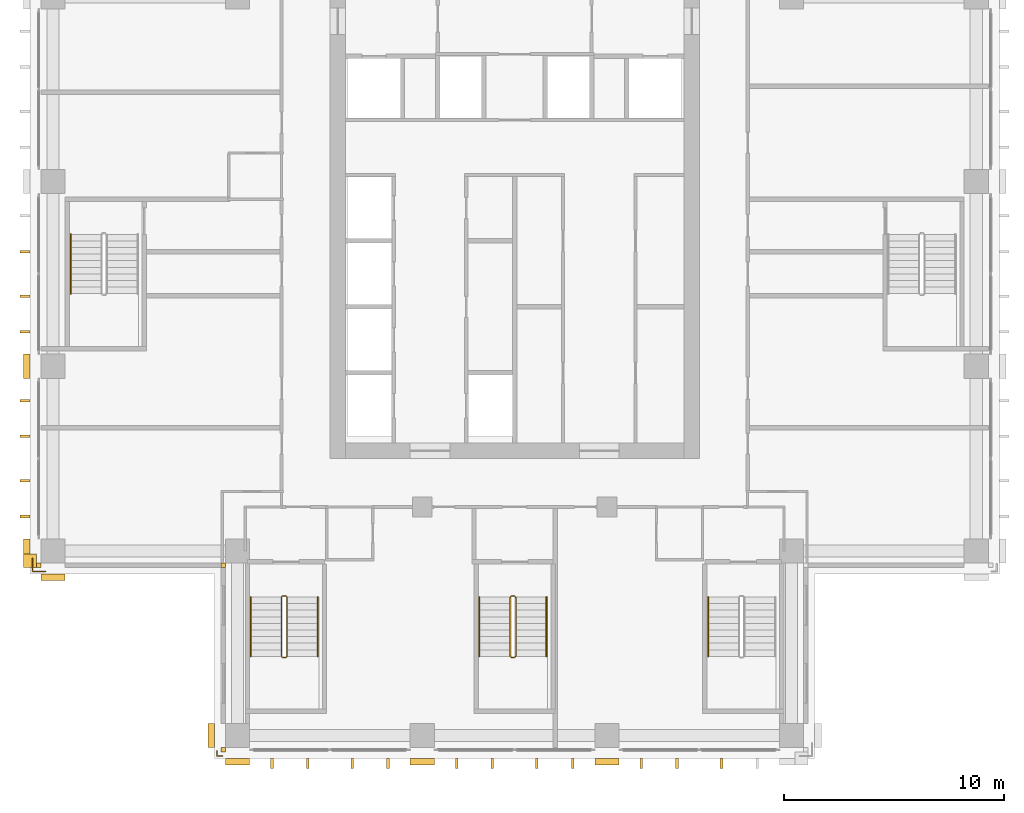
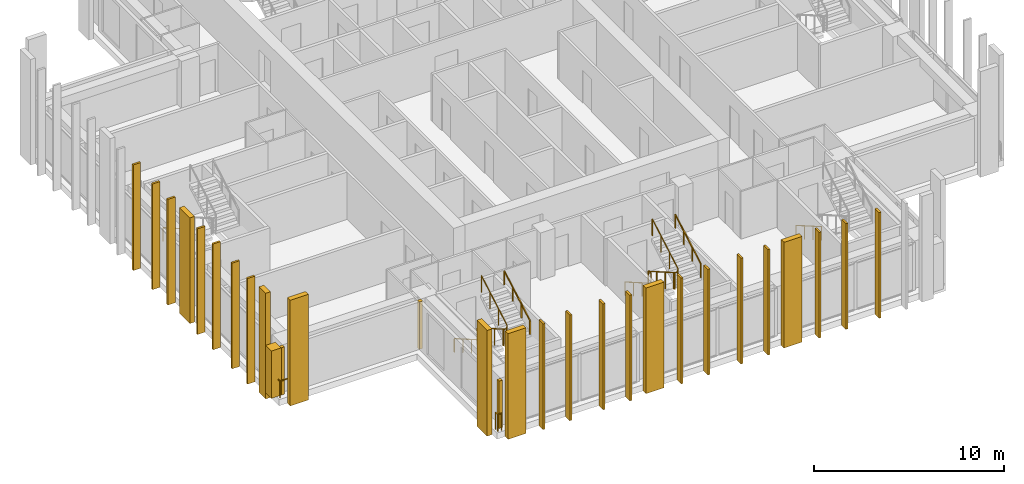
# One storey, part 14 of 16: 29 coverings, 10 railings.
"""IFC4 building model written with IfcOpenShell, lengths in metres."""

from ifc_helpers import new_model, si_unit, direction, frame, origin, origin_2d, place, context, subcontext, project, spatial, polyline, rectangle, outline, extrude, material, layer, layer_set, type_object, element, save


model = new_model("IFC4")

# Units and contexts
model_context = context("Model", 3, precision=1e-05, world=origin(), true_north=direction((0.0, 1.0)))
body_context = subcontext(model_context, "Body", "Model", "MODEL_VIEW")
ifc_project = project(units=[si_unit("LENGTHUNIT", "METRE"), si_unit("AREAUNIT", "SQUARE_METRE"), si_unit("VOLUMEUNIT", "CUBIC_METRE"), si_unit("PLANEANGLEUNIT", "RADIAN"), si_unit("MASSUNIT", "GRAM", prefix="KILO")], contexts=[model_context])

# Site, building, storey
site_placement = place(None, origin())
site = spatial("IfcSite", under=ifc_project, at=site_placement, CompositionType="ELEMENT")
building_placement = place(site_placement, origin())
building = spatial("IfcBuilding", under=site, at=building_placement, Name="Vermilion Ogive Tower", CompositionType="ELEMENT")
storey_placement = place(building_placement, frame((0.0, 0.0, 164.14990234375)))
storey = spatial("IfcBuildingStorey", under=building, at=storey_placement, Name="L42", CompositionType="ELEMENT", Elevation=164.14990234375)

# Coverings
ifc_material_1 = material(Name="Glazed ceramic screen")
ifc_layer = layer(ifc_material_1, 0.14990234375)
ifc_layer_set = layer_set([ifc_layer], Name="Ceramic solar screen fin")
covering_type_1 = type_object("IfcCoveringType", Name="Ceramic solar screen fin", PredefinedType="CLADDING", material=ifc_layer_set)
covering_1_placement = place(storey_placement, frame((0.0, 0.0, -0.39990234375)))
element("IfcCovering", 1, at=covering_1_placement, inside=storey, type_object=covering_type_1, Name="Solar screen blade S971", PredefinedType="CLADDING", context=body_context, shape_type="SweptSolid", body=[
    extrude(outline(polyline([(-11.097412109375, -22.5), (-10.9775390625, -22.5), (-10.9775390625, -22.050048828125), (-11.097412109375, -22.050048828125), (-11.097412109375, -22.5)])), origin(), (0.0, 0.0, 1.0), 6.800048828125),
])
covering_2_placement = place(storey_placement, frame((0.0, 0.0, -0.39990234375)))
element("IfcCovering", 2, at=covering_2_placement, inside=storey, type_object=covering_type_1, Name="Solar screen blade S972", PredefinedType="CLADDING", context=body_context, shape_type="SweptSolid", body=[
    extrude(outline(polyline([(-9.472412109375, -22.5), (-9.3525390625, -22.5), (-9.3525390625, -22.050048828125), (-9.472412109375, -22.050048828125), (-9.472412109375, -22.5)])), origin(), (0.0, 0.0, 1.0), 6.800048828125),
])
covering_3_placement = place(storey_placement, frame((0.0, 0.0, -0.39990234375)))
element("IfcCovering", 3, at=covering_3_placement, inside=storey, type_object=covering_type_1, Name="Solar screen blade S981", PredefinedType="CLADDING", context=body_context, shape_type="SweptSolid", body=[
    extrude(outline(polyline([(-7.447509765625, -22.5), (-7.327392578125, -22.5), (-7.327392578125, -22.050048828125), (-7.447509765625, -22.050048828125), (-7.447509765625, -22.5)])), origin(), (0.0, 0.0, 1.0), 6.800048828125),
])
covering_4_placement = place(storey_placement, frame((0.0, 0.0, -0.39990234375)))
element("IfcCovering", 4, at=covering_4_placement, inside=storey, type_object=covering_type_1, Name="Solar screen blade S982", PredefinedType="CLADDING", context=body_context, shape_type="SweptSolid", body=[
    extrude(outline(polyline([(-5.822509765625, -22.5), (-5.702392578125, -22.5), (-5.702392578125, -22.050048828125), (-5.822509765625, -22.050048828125), (-5.822509765625, -22.5)])), origin(), (0.0, 0.0, 1.0), 6.800048828125),
])
covering_5_placement = place(storey_placement, frame((0.0, 0.0, -0.39990234375)))
element("IfcCovering", 5, at=covering_5_placement, inside=storey, type_object=covering_type_1, Name="Solar screen blade S991", PredefinedType="CLADDING", context=body_context, shape_type="SweptSolid", body=[
    extrude(outline(polyline([(-2.697509765625, -22.5), (-2.577392578125, -22.5), (-2.577392578125, -22.050048828125), (-2.697509765625, -22.050048828125), (-2.697509765625, -22.5)])), origin(), (0.0, 0.0, 1.0), 6.800048828125),
])
covering_6_placement = place(storey_placement, frame((0.0, 0.0, -0.39990234375)))
element("IfcCovering", 6, at=covering_6_placement, inside=storey, type_object=covering_type_1, Name="Solar screen blade S992", PredefinedType="CLADDING", context=body_context, shape_type="SweptSolid", body=[
    extrude(outline(polyline([(-1.072509765625, -22.5), (-0.952392578125, -22.5), (-0.952392578125, -22.050048828125), (-1.072509765625, -22.050048828125), (-1.072509765625, -22.5)])), origin(), (0.0, 0.0, 1.0), 6.800048828125),
])
covering_7_placement = place(storey_placement, frame((0.0, 0.0, -0.39990234375)))
element("IfcCovering", 7, at=covering_7_placement, inside=storey, type_object=covering_type_1, Name="Solar screen blade S001", PredefinedType="CLADDING", context=body_context, shape_type="SweptSolid", body=[
    extrude(outline(polyline([(0.952392578125, -22.5), (1.072509765625, -22.5), (1.072509765625, -22.050048828125), (0.952392578125, -22.050048828125), (0.952392578125, -22.5)])), origin(), (0.0, 0.0, 1.0), 6.800048828125),
])
covering_8_placement = place(storey_placement, frame((0.0, 0.0, -0.39990234375)))
element("IfcCovering", 8, at=covering_8_placement, inside=storey, type_object=covering_type_1, Name="Solar screen blade S002", PredefinedType="CLADDING", context=body_context, shape_type="SweptSolid", body=[
    extrude(outline(polyline([(2.577392578125, -22.5), (2.697509765625, -22.5), (2.697509765625, -22.050048828125), (2.577392578125, -22.050048828125), (2.577392578125, -22.5)])), origin(), (0.0, 0.0, 1.0), 6.800048828125),
])
covering_9_placement = place(storey_placement, frame((0.0, 0.0, -0.39990234375)))
element("IfcCovering", 9, at=covering_9_placement, inside=storey, type_object=covering_type_1, Name="Solar screen blade S011", PredefinedType="CLADDING", context=body_context, shape_type="SweptSolid", body=[
    extrude(outline(polyline([(5.702392578125, -22.5), (5.822509765625, -22.5), (5.822509765625, -22.050048828125), (5.702392578125, -22.050048828125), (5.702392578125, -22.5)])), origin(), (0.0, 0.0, 1.0), 6.800048828125),
])
covering_10_placement = place(storey_placement, frame((0.0, 0.0, -0.39990234375)))
element("IfcCovering", 10, at=covering_10_placement, inside=storey, type_object=covering_type_1, Name="Solar screen blade S012", PredefinedType="CLADDING", context=body_context, shape_type="SweptSolid", body=[
    extrude(outline(polyline([(7.327392578125, -22.5), (7.447509765625, -22.5), (7.447509765625, -22.050048828125), (7.327392578125, -22.050048828125), (7.327392578125, -22.5)])), origin(), (0.0, 0.0, 1.0), 6.800048828125),
])
covering_11_placement = place(storey_placement, frame((0.0, 0.0, -0.39990234375)))
element("IfcCovering", 11, at=covering_11_placement, inside=storey, type_object=covering_type_1, Name="Solar screen blade S021", PredefinedType="CLADDING", context=body_context, shape_type="SweptSolid", body=[
    extrude(outline(polyline([(9.3525390625, -22.5), (9.472412109375, -22.5), (9.472412109375, -22.050048828125), (9.3525390625, -22.050048828125), (9.3525390625, -22.5)])), origin(), (0.0, 0.0, 1.0), 6.800048828125),
])
covering_12_placement = place(storey_placement, frame((0.0, 0.0, -0.39990234375)))
element("IfcCovering", 12, at=covering_12_placement, inside=storey, type_object=covering_type_1, Name="Solar screen blade W991", PredefinedType="CLADDING", context=body_context, shape_type="SweptSolid", body=[
    extrude(outline(polyline([(-22.5, -0.952392578125), (-22.5, -1.072509765625), (-22.050048828125, -1.072509765625), (-22.050048828125, -0.952392578125), (-22.5, -0.952392578125)])), origin(), (0.0, 0.0, 1.0), 6.800048828125),
])
covering_13_placement = place(storey_placement, frame((0.0, 0.0, -0.39990234375)))
element("IfcCovering", 13, at=covering_13_placement, inside=storey, type_object=covering_type_1, Name="Solar screen blade W992", PredefinedType="CLADDING", context=body_context, shape_type="SweptSolid", body=[
    extrude(outline(polyline([(-22.5, -2.577392578125), (-22.5, -2.697509765625), (-22.050048828125, -2.697509765625), (-22.050048828125, -2.577392578125), (-22.5, -2.577392578125)])), origin(), (0.0, 0.0, 1.0), 6.800048828125),
])
covering_14_placement = place(storey_placement, frame((0.0, 0.0, -0.39990234375)))
element("IfcCovering", 14, at=covering_14_placement, inside=storey, type_object=covering_type_1, Name="Solar screen blade W002", PredefinedType="CLADDING", context=body_context, shape_type="SweptSolid", body=[
    extrude(outline(polyline([(-22.5, 1.072509765625), (-22.5, 0.952392578125), (-22.050048828125, 0.952392578125), (-22.050048828125, 1.072509765625), (-22.5, 1.072509765625)])), origin(), (0.0, 0.0, 1.0), 6.800048828125),
])
covering_15_placement = place(storey_placement, frame((0.0, 0.0, -0.39990234375)))
element("IfcCovering", 15, at=covering_15_placement, inside=storey, type_object=covering_type_1, Name="Solar screen blade W971", PredefinedType="CLADDING", context=body_context, shape_type="SweptSolid", body=[
    extrude(outline(polyline([(-22.5, -9.3525390625), (-22.5, -9.472412109375), (-22.050048828125, -9.472412109375), (-22.050048828125, -9.3525390625), (-22.5, -9.3525390625)])), origin(), (0.0, 0.0, 1.0), 6.800048828125),
])
covering_16_placement = place(storey_placement, frame((0.0, 0.0, -0.39990234375)))
element("IfcCovering", 16, at=covering_16_placement, inside=storey, type_object=covering_type_1, Name="Solar screen blade W972", PredefinedType="CLADDING", context=body_context, shape_type="SweptSolid", body=[
    extrude(outline(polyline([(-22.5, -10.9775390625), (-22.5, -11.097412109375), (-22.050048828125, -11.097412109375), (-22.050048828125, -10.9775390625), (-22.5, -10.9775390625)])), origin(), (0.0, 0.0, 1.0), 6.800048828125),
])
covering_17_placement = place(storey_placement, frame((0.0, 0.0, -0.39990234375)))
element("IfcCovering", 17, at=covering_17_placement, inside=storey, type_object=covering_type_1, Name="Solar screen blade W981", PredefinedType="CLADDING", context=body_context, shape_type="SweptSolid", body=[
    extrude(outline(polyline([(-22.5, -5.702392578125), (-22.5, -5.822509765625), (-22.050048828125, -5.822509765625), (-22.050048828125, -5.702392578125), (-22.5, -5.702392578125)])), origin(), (0.0, 0.0, 1.0), 6.800048828125),
])
covering_18_placement = place(storey_placement, frame((0.0, 0.0, -0.39990234375)))
element("IfcCovering", 18, at=covering_18_placement, inside=storey, type_object=covering_type_1, Name="Solar screen blade W982", PredefinedType="CLADDING", context=body_context, shape_type="SweptSolid", body=[
    extrude(outline(polyline([(-22.5, -7.327392578125), (-22.5, -7.447509765625), (-22.050048828125, -7.447509765625), (-22.050048828125, -7.327392578125), (-22.5, -7.327392578125)])), origin(), (0.0, 0.0, 1.0), 6.800048828125),
])

# Railings
ifc_material_2 = material(Name="Stainless steel", Category="steel")
railing_type_1 = type_object("IfcRailingType", Name="Slab edge guard SG1", PredefinedType="GUARDRAIL", material=ifc_material_2)
railing_1_placement = place(storey_placement, frame((-13.300048828125, -21.929931640625, 0.0)))
element("IfcRailing", 19, at=railing_1_placement, inside=storey, type_object=railing_type_1, Name="L42 slab corner guard", PredefinedType="GUARDRAIL", context=body_context, shape_type="SweptSolid", body=[
    extrude(rectangle(XDim=0.050048828125, YDim=0.050048828125, at=origin_2d()), frame((0.0, 0.0, 1.0751953125), z_axis=(-1.0, 0.0, 0.0), x_axis=(0.0, -1.0, 0.0)), (0.0, 0.0, 1.0), 0.22998046875),
    extrude(rectangle(XDim=0.050048828125, YDim=0.050048828125, at=origin_2d()), frame((-0.22998046875, 0.0, 1.0751953125), z_axis=(0.0, 1.0, 0.0), x_axis=(-1.0, 0.0, 0.0)), (0.0, 0.0, 1.0), 0.22998046875),
    extrude(rectangle(XDim=0.050048828125, YDim=0.050048828125, at=origin_2d()), origin(), (0.0, 0.0, 1.0), 1.050048828125),
    extrude(rectangle(XDim=0.050048828125, YDim=0.050048828125, at=origin_2d()), frame((-0.22998046875, 0.0, 0.0)), (0.0, 0.0, 1.0), 1.050048828125),
    extrude(rectangle(XDim=0.050048828125, YDim=0.050048828125, at=origin_2d()), frame((-0.22998046875, 0.22998046875, 0.0)), (0.0, 0.0, 1.0), 1.050048828125),
])
railing_2_placement = place(storey_placement, frame((-21.929931640625, -12.949951171875, 0.0)))
element("IfcRailing", 20, at=railing_2_placement, inside=storey, type_object=railing_type_1, Name="L42 slab corner guard", PredefinedType="GUARDRAIL", context=body_context, shape_type="SweptSolid", body=[
    extrude(rectangle(XDim=0.050048828125, YDim=0.050048828125, at=origin_2d()), frame((0.0, 0.0, 1.0751953125), z_axis=(0.0, -1.0, 0.0), x_axis=(1.0, 0.0, 0.0)), (0.0, 0.0, 1.0), 0.580078125),
    extrude(rectangle(XDim=0.050048828125, YDim=0.050048828125, at=origin_2d()), frame((0.0, -0.580078125, 1.0751953125), z_axis=(1.0, 0.0, 0.0), x_axis=(0.0, 1.0, 0.0)), (0.0, 0.0, 1.0), 0.579833984375),
    extrude(rectangle(XDim=0.050048828125, YDim=0.050048828125, at=origin_2d()), origin(), (0.0, 0.0, 1.0), 1.050048828125),
    extrude(rectangle(XDim=0.050048828125, YDim=0.050048828125, at=origin_2d()), frame((0.0, -0.580078125, 0.0)), (0.0, 0.0, 1.0), 1.050048828125),
    extrude(rectangle(XDim=0.050048828125, YDim=0.050048828125, at=origin_2d()), frame((0.579833984375, -0.580078125, 0.0)), (0.0, 0.0, 1.0), 1.050048828125),
])
ifc_material_3 = material(Name="Steel S355 painted", Category="steel")
railing_type_2 = type_object("IfcRailingType", Name="Stair guard 1100", PredefinedType="GUARDRAIL", material=ifc_material_3)
railing_3_placement = place(storey_placement, frame((-10.39990234375, -14.64990234375, 0.0)))
element("IfcRailing", 21, at=railing_3_placement, inside=storey, type_object=railing_type_2, Name="L42 ST3 stair guard 4", PredefinedType="GUARDRAIL", context=body_context, shape_type="SweptSolid", body=[
    extrude(rectangle(XDim=0.048095703125, YDim=0.048095703125, at=origin_2d()), frame((0.0, 0.0, 1.076171875), z_axis=(-1.0, 0.0, 0.0), x_axis=(0.0, -1.0, 0.0)), (0.0, 0.0, 1.0), 0.150146484375),
    extrude(rectangle(XDim=0.048095703125, YDim=0.048095703125, at=origin_2d()), frame((-0.150146484375, 0.0, 1.076171875), z_axis=(-0.268277960024, -0.268277960024, 0.925231793839), x_axis=(0.707106781187, -0.707106781187, 0.0)), (0.0, 0.0, 1.0), 0.1865234375),
    extrude(rectangle(XDim=0.048095703125, YDim=0.048095703125, at=origin_2d()), frame((-0.2001953125, -0.050048828125, 1.24853515625), z_axis=(0.0, -0.866903762492, 0.498475542607), x_axis=(1.0, 0.0, 0.0)), (0.0, 0.0, 1.0), 3.114501953125),
    extrude(rectangle(XDim=0.048095703125, YDim=0.048095703125, at=origin_2d()), frame((-0.2001953125, -2.75, 2.80126953125), z_axis=(0.707106781187, -0.707106781187, 0.0), x_axis=(0.707106781187, 0.707106781187, 0.0)), (0.0, 0.0, 1.0), 0.07080078125),
    extrude(rectangle(XDim=0.048095703125, YDim=0.048095703125, at=origin_2d()), frame((-0.150146484375, -2.800048828125, 2.80126953125), z_axis=(1.0, 0.0, 0.0), x_axis=(0.0, 1.0, 0.0)), (0.0, 0.0, 1.0), 0.150146484375),
    extrude(rectangle(XDim=0.048095703125, YDim=0.048095703125, at=origin_2d()), frame((0.0, -2.800048828125, 2.80126953125), z_axis=(0.267062837333, 0.268371968888, 0.925556009775), x_axis=(-0.708833529934, 0.705375805398, 0.0)), (0.0, 0.0, 1.0), 0.1865234375),
    extrude(rectangle(XDim=0.048095703125, YDim=0.048095703125, at=origin_2d()), frame((0.0498046875, -2.75, 2.9736328125), z_axis=(0.0, 0.866903762492, 0.498475542607), x_axis=(-1.0, 0.0, 0.0)), (0.0, 0.0, 1.0), 3.114501953125),
    extrude(rectangle(XDim=0.0419921875, YDim=0.0419921875, at=origin_2d()), origin(), (0.0, 0.0, 1.0), 1.052001953125),
    extrude(rectangle(XDim=0.0419921875, YDim=0.0419921875, at=origin_2d()), frame((-0.150146484375, 0.0, 0.0)), (0.0, 0.0, 1.0), 1.052001953125),
    extrude(rectangle(XDim=0.0419921875, YDim=0.0419921875, at=origin_2d()), frame((-0.2001953125, -0.050048828125, 0.172607421875)), (0.0, 0.0, 1.0), 1.052001953125),
    extrude(rectangle(XDim=0.0419921875, YDim=0.0419921875, at=origin_2d()), frame((-0.2001953125, -0.949951171875, 0.690185546875)), (0.0, 0.0, 1.0), 1.052001953125),
    extrude(rectangle(XDim=0.0419921875, YDim=0.0419921875, at=origin_2d()), frame((-0.2001953125, -1.85009765625, 1.20751953125)), (0.0, 0.0, 1.0), 1.052001953125),
    extrude(rectangle(XDim=0.0419921875, YDim=0.0419921875, at=origin_2d()), frame((-0.2001953125, -2.75, 1.72509765625)), (0.0, 0.0, 1.0), 1.052001953125),
    extrude(rectangle(XDim=0.0419921875, YDim=0.0419921875, at=origin_2d()), frame((-0.150146484375, -2.800048828125, 1.72509765625)), (0.0, 0.0, 1.0), 1.052001953125),
    extrude(rectangle(XDim=0.0419921875, YDim=0.0419921875, at=origin_2d()), frame((0.0, -2.800048828125, 1.72509765625)), (0.0, 0.0, 1.0), 1.052001953125),
    extrude(rectangle(XDim=0.0419921875, YDim=0.0419921875, at=origin_2d()), frame((0.0498046875, -2.75, 1.897705078125)), (0.0, 0.0, 1.0), 1.052001953125),
    extrude(rectangle(XDim=0.0419921875, YDim=0.0419921875, at=origin_2d()), frame((0.0498046875, -1.85009765625, 2.415283203125)), (0.0, 0.0, 1.0), 1.052001953125),
    extrude(rectangle(XDim=0.0419921875, YDim=0.0419921875, at=origin_2d()), frame((0.0498046875, -0.949951171875, 2.9326171875)), (0.0, 0.0, 1.0), 1.052001953125),
    extrude(rectangle(XDim=0.0419921875, YDim=0.0419921875, at=origin_2d()), frame((0.0498046875, -0.050048828125, 3.4501953125)), (0.0, 0.0, 1.0), 1.052001953125),
])
railing_4_placement = place(storey_placement, frame((0.0, -14.64990234375, 0.0)))
element("IfcRailing", 22, at=railing_4_placement, inside=storey, type_object=railing_type_2, Name="L42 ST4 stair guard 4", PredefinedType="GUARDRAIL", context=body_context, shape_type="SweptSolid", body=[
    extrude(rectangle(XDim=0.048095703125, YDim=0.048095703125, at=origin_2d()), frame((0.0, 0.0, 1.076171875), z_axis=(-1.0, 0.0, 0.0), x_axis=(0.0, -1.0, 0.0)), (0.0, 0.0, 1.0), 0.14990234375),
    extrude(rectangle(XDim=0.048095703125, YDim=0.048095703125, at=origin_2d()), frame((-0.14990234375, 0.0, 1.076171875), z_axis=(-0.268277960024, -0.268277960024, 0.925231793839), x_axis=(0.707106781187, -0.707106781187, 0.0)), (0.0, 0.0, 1.0), 0.1865234375),
    extrude(rectangle(XDim=0.048095703125, YDim=0.048095703125, at=origin_2d()), frame((-0.199951171875, -0.050048828125, 1.24853515625), z_axis=(0.0, -0.866903762492, 0.498475542607), x_axis=(1.0, 0.0, 0.0)), (0.0, 0.0, 1.0), 3.114501953125),
    extrude(rectangle(XDim=0.048095703125, YDim=0.048095703125, at=origin_2d()), frame((-0.199951171875, -2.75, 2.80126953125), z_axis=(0.707106781187, -0.707106781187, 0.0), x_axis=(0.707106781187, 0.707106781187, 0.0)), (0.0, 0.0, 1.0), 0.07080078125),
    extrude(rectangle(XDim=0.048095703125, YDim=0.048095703125, at=origin_2d()), frame((-0.14990234375, -2.800048828125, 2.80126953125), z_axis=(1.0, 0.0, 0.0), x_axis=(0.0, 1.0, 0.0)), (0.0, 0.0, 1.0), 0.14990234375),
    extrude(rectangle(XDim=0.048095703125, YDim=0.048095703125, at=origin_2d()), frame((0.0, -2.800048828125, 2.80126953125), z_axis=(0.268277960024, 0.268277960024, 0.925231793839), x_axis=(-0.707106781187, 0.707106781187, 0.0)), (0.0, 0.0, 1.0), 0.1865234375),
    extrude(rectangle(XDim=0.048095703125, YDim=0.048095703125, at=origin_2d()), frame((0.050048828125, -2.75, 2.9736328125), z_axis=(0.0, 0.866903762492, 0.498475542607), x_axis=(-1.0, 0.0, 0.0)), (0.0, 0.0, 1.0), 3.114501953125),
    extrude(rectangle(XDim=0.0419921875, YDim=0.0419921875, at=origin_2d()), origin(), (0.0, 0.0, 1.0), 1.052001953125),
    extrude(rectangle(XDim=0.0419921875, YDim=0.0419921875, at=origin_2d()), frame((-0.14990234375, 0.0, 0.0)), (0.0, 0.0, 1.0), 1.052001953125),
    extrude(rectangle(XDim=0.0419921875, YDim=0.0419921875, at=origin_2d()), frame((-0.199951171875, -0.050048828125, 0.172607421875)), (0.0, 0.0, 1.0), 1.052001953125),
    extrude(rectangle(XDim=0.0419921875, YDim=0.0419921875, at=origin_2d()), frame((-0.199951171875, -0.949951171875, 0.690185546875)), (0.0, 0.0, 1.0), 1.052001953125),
    extrude(rectangle(XDim=0.0419921875, YDim=0.0419921875, at=origin_2d()), frame((-0.199951171875, -1.85009765625, 1.20751953125)), (0.0, 0.0, 1.0), 1.052001953125),
    extrude(rectangle(XDim=0.0419921875, YDim=0.0419921875, at=origin_2d()), frame((-0.199951171875, -2.75, 1.72509765625)), (0.0, 0.0, 1.0), 1.052001953125),
    extrude(rectangle(XDim=0.0419921875, YDim=0.0419921875, at=origin_2d()), frame((-0.14990234375, -2.800048828125, 1.72509765625)), (0.0, 0.0, 1.0), 1.052001953125),
    extrude(rectangle(XDim=0.0419921875, YDim=0.0419921875, at=origin_2d()), frame((0.0, -2.800048828125, 1.72509765625)), (0.0, 0.0, 1.0), 1.052001953125),
    extrude(rectangle(XDim=0.0419921875, YDim=0.0419921875, at=origin_2d()), frame((0.050048828125, -2.75, 1.897705078125)), (0.0, 0.0, 1.0), 1.052001953125),
    extrude(rectangle(XDim=0.0419921875, YDim=0.0419921875, at=origin_2d()), frame((0.050048828125, -1.85009765625, 2.415283203125)), (0.0, 0.0, 1.0), 1.052001953125),
    extrude(rectangle(XDim=0.0419921875, YDim=0.0419921875, at=origin_2d()), frame((0.050048828125, -0.949951171875, 2.9326171875)), (0.0, 0.0, 1.0), 1.052001953125),
    extrude(rectangle(XDim=0.0419921875, YDim=0.0419921875, at=origin_2d()), frame((0.050048828125, -0.050048828125, 3.4501953125)), (0.0, 0.0, 1.0), 1.052001953125),
])
ifc_material_4 = material(Name="Stainless steel", Category="steel")
railing_type_3 = type_object("IfcRailingType", Name="Stair handrail 900", PredefinedType="HANDRAIL", material=ifc_material_4)
railing_5_placement = place(storey_placement, frame((-12.0, -14.699951171875, 0.172607421875)))
element("IfcRailing", 23, at=railing_5_placement, inside=storey, type_object=railing_type_3, Name="L42 ST3 stair handrail 1", PredefinedType="HANDRAIL", context=body_context, shape_type="SweptSolid", body=[
    extrude(rectangle(XDim=0.048095703125, YDim=0.048095703125, at=origin_2d()), frame((0.0, 0.0, 0.8759765625), z_axis=(0.0, -0.866903762492, 0.498475542607), x_axis=(1.0, 0.0, 0.0)), (0.0, 0.0, 1.0), 3.114501953125),
    extrude(rectangle(XDim=0.0419921875, YDim=0.0419921875, at=origin_2d()), origin(), (0.0, 0.0, 1.0), 0.851806640625),
    extrude(rectangle(XDim=0.0419921875, YDim=0.0419921875, at=origin_2d()), frame((0.0, -0.89990234375, 0.517578125)), (0.0, 0.0, 1.0), 0.851806640625),
    extrude(rectangle(XDim=0.0419921875, YDim=0.0419921875, at=origin_2d()), frame((0.0, -1.800048828125, 1.034912109375)), (0.0, 0.0, 1.0), 0.851806640625),
    extrude(rectangle(XDim=0.0419921875, YDim=0.0419921875, at=origin_2d()), frame((0.0, -2.699951171875, 1.552490234375)), (0.0, 0.0, 1.0), 0.851806640625),
])
railing_6_placement = place(storey_placement, frame((-8.949951171875, -17.39990234375, 1.897705078125)))
element("IfcRailing", 24, at=railing_6_placement, inside=storey, type_object=railing_type_3, Name="L42 ST3 stair handrail 2", PredefinedType="HANDRAIL", context=body_context, shape_type="SweptSolid", body=[
    extrude(rectangle(XDim=0.048095703125, YDim=0.048095703125, at=origin_2d()), frame((0.0, 0.0, 0.8759765625), z_axis=(0.0, 0.866903762492, 0.498475542607), x_axis=(-1.0, 0.0, 0.0)), (0.0, 0.0, 1.0), 3.114501953125),
    extrude(rectangle(XDim=0.0419921875, YDim=0.0419921875, at=origin_2d()), origin(), (0.0, 0.0, 1.0), 0.851806640625),
    extrude(rectangle(XDim=0.0419921875, YDim=0.0419921875, at=origin_2d()), frame((0.0, 0.89990234375, 0.517578125)), (0.0, 0.0, 1.0), 0.851806640625),
    extrude(rectangle(XDim=0.0419921875, YDim=0.0419921875, at=origin_2d()), frame((0.0, 1.800048828125, 1.034912109375)), (0.0, 0.0, 1.0), 0.851806640625),
    extrude(rectangle(XDim=0.0419921875, YDim=0.0419921875, at=origin_2d()), frame((0.0, 2.699951171875, 1.552490234375)), (0.0, 0.0, 1.0), 0.851806640625),
])
railing_7_placement = place(storey_placement, frame((-1.60009765625, -14.699951171875, 0.172607421875)))
element("IfcRailing", 25, at=railing_7_placement, inside=storey, type_object=railing_type_3, Name="L42 ST4 stair handrail 1", PredefinedType="HANDRAIL", context=body_context, shape_type="SweptSolid", body=[
    extrude(rectangle(XDim=0.048095703125, YDim=0.048095703125, at=origin_2d()), frame((0.0, 0.0, 0.8759765625), z_axis=(0.0, -0.866903762492, 0.498475542607), x_axis=(1.0, 0.0, 0.0)), (0.0, 0.0, 1.0), 3.114501953125),
    extrude(rectangle(XDim=0.0419921875, YDim=0.0419921875, at=origin_2d()), origin(), (0.0, 0.0, 1.0), 0.851806640625),
    extrude(rectangle(XDim=0.0419921875, YDim=0.0419921875, at=origin_2d()), frame((0.0, -0.89990234375, 0.517578125)), (0.0, 0.0, 1.0), 0.851806640625),
    extrude(rectangle(XDim=0.0419921875, YDim=0.0419921875, at=origin_2d()), frame((0.0, -1.800048828125, 1.034912109375)), (0.0, 0.0, 1.0), 0.851806640625),
    extrude(rectangle(XDim=0.0419921875, YDim=0.0419921875, at=origin_2d()), frame((0.0, -2.699951171875, 1.552490234375)), (0.0, 0.0, 1.0), 0.851806640625),
])
railing_8_placement = place(storey_placement, frame((1.449951171875, -17.39990234375, 1.897705078125)))
element("IfcRailing", 26, at=railing_8_placement, inside=storey, type_object=railing_type_3, Name="L42 ST4 stair handrail 2", PredefinedType="HANDRAIL", context=body_context, shape_type="SweptSolid", body=[
    extrude(rectangle(XDim=0.048095703125, YDim=0.048095703125, at=origin_2d()), frame((0.0, 0.0, 0.8759765625), z_axis=(0.0, 0.866903762492, 0.498475542607), x_axis=(-1.0, 0.0, 0.0)), (0.0, 0.0, 1.0), 3.114501953125),
    extrude(rectangle(XDim=0.0419921875, YDim=0.0419921875, at=origin_2d()), origin(), (0.0, 0.0, 1.0), 0.851806640625),
    extrude(rectangle(XDim=0.0419921875, YDim=0.0419921875, at=origin_2d()), frame((0.0, 0.89990234375, 0.517578125)), (0.0, 0.0, 1.0), 0.851806640625),
    extrude(rectangle(XDim=0.0419921875, YDim=0.0419921875, at=origin_2d()), frame((0.0, 1.800048828125, 1.034912109375)), (0.0, 0.0, 1.0), 0.851806640625),
    extrude(rectangle(XDim=0.0419921875, YDim=0.0419921875, at=origin_2d()), frame((0.0, 2.699951171875, 1.552490234375)), (0.0, 0.0, 1.0), 0.851806640625),
])
for number, where, name in (
    (27, (8.800048828125, -14.699951171875, 0.172607421875), "L42 ST5 stair handrail 1"),
    (28, (-20.199951171875, 1.800048828125, 0.172607421875), "L42 ST9 stair handrail 1"),
):
    element("IfcRailing", number, at=place(storey_placement, frame(where)), inside=storey, type_object=railing_type_3, Name=name, PredefinedType="HANDRAIL", context=body_context, shape_type="SweptSolid", body=[
        extrude(rectangle(XDim=0.048095703125, YDim=0.048095703125, at=origin_2d()), frame((0.0, 0.0, 0.8759765625), z_axis=(0.0, -0.866903762492, 0.498475542607), x_axis=(1.0, 0.0, 0.0)), (0.0, 0.0, 1.0), 3.114501953125),
        extrude(rectangle(XDim=0.0419921875, YDim=0.0419921875, at=origin_2d()), origin(), (0.0, 0.0, 1.0), 0.851806640625),
        extrude(rectangle(XDim=0.0419921875, YDim=0.0419921875, at=origin_2d()), frame((0.0, -0.89990234375, 0.517578125)), (0.0, 0.0, 1.0), 0.851806640625),
        extrude(rectangle(XDim=0.0419921875, YDim=0.0419921875, at=origin_2d()), frame((0.0, -1.800048828125, 1.034912109375)), (0.0, 0.0, 1.0), 0.851806640625),
        extrude(rectangle(XDim=0.0419921875, YDim=0.0419921875, at=origin_2d()), frame((0.0, -2.699951171875, 1.552490234375)), (0.0, 0.0, 1.0), 0.851806640625),
    ])

# Coverings
ifc_material_5 = material(Name="Stone cladding", Category="masonry")
covering_type_2 = type_object("IfcCoveringType", Name="Stone corner buttress", PredefinedType="CLADDING", material=ifc_material_5)
covering_19_placement = place(storey_placement, origin())
element("IfcCovering", 29, at=covering_19_placement, inside=storey, type_object=covering_type_2, Name="Stone crease pier WK", PredefinedType="CLADDING", context=body_context, shape_type="SweptSolid", body=[
    extrude(outline(polyline([(-22.35009765625, -12.75), (-22.35009765625, -13.35009765625), (-21.75, -13.35009765625), (-21.75, -12.75), (-22.35009765625, -12.75)])), origin(), (0.0, 0.0, 1.0), 3.050048828125),
])
ifc_material_6 = material(Name="Stone cladding", Category="masonry")
covering_type_3 = type_object("IfcCoveringType", Name="Stone pier", PredefinedType="CLADDING", material=ifc_material_6)
covering_20_placement = place(storey_placement, origin())
element("IfcCovering", 30, at=covering_20_placement, inside=storey, type_object=covering_type_3, Name="Stone corner pier WE1", PredefinedType="CLADDING", context=body_context, shape_type="SweptSolid", body=[
    extrude(outline(polyline([(-21.75, -13.14990234375), (-21.550048828125, -13.14990234375), (-21.550048828125, -13.35009765625), (-21.75, -13.35009765625), (-21.75, -13.14990234375)])), origin(), (0.0, 0.0, 1.0), 3.050048828125),
])
covering_21_placement = place(storey_placement, origin())
element("IfcCovering", 31, at=covering_21_placement, inside=storey, type_object=covering_type_3, Name="Stone corner pier X7E1", PredefinedType="CLADDING", context=body_context, shape_type="SweptSolid", body=[
    extrude(outline(polyline([(-13.14990234375, -13.14990234375), (-13.14990234375, -13.35009765625), (-13.35009765625, -13.35009765625), (-13.35009765625, -13.14990234375), (-13.14990234375, -13.14990234375)])), origin(), (0.0, 0.0, 1.0), 3.050048828125),
])
covering_22_placement = place(storey_placement, origin())
element("IfcCovering", 32, at=covering_22_placement, inside=storey, type_object=covering_type_3, Name="Stone corner pier X8E1", PredefinedType="CLADDING", context=body_context, shape_type="SweptSolid", body=[
    extrude(outline(polyline([(-13.35009765625, -21.550048828125), (-13.14990234375, -21.550048828125), (-13.14990234375, -21.75), (-13.35009765625, -21.75), (-13.35009765625, -21.550048828125)])), origin(), (0.0, 0.0, 1.0), 3.050048828125),
])
covering_23_placement = place(storey_placement, frame((0.0, 0.0, -0.39990234375)))
element("IfcCovering", 33, at=covering_23_placement, inside=storey, type_object=covering_type_3, Name="Stone pier P+0042-210", PredefinedType="CLADDING", context=body_context, shape_type="SweptSolid", body=[
    extrude(outline(polyline([(4.75, -22.35009765625), (3.64990234375, -22.35009765625), (3.64990234375, -22.050048828125), (4.75, -22.050048828125), (4.75, -22.35009765625)])), origin(), (0.0, 0.0, 1.0), 6.800048828125),
])
covering_24_placement = place(storey_placement, frame((0.0, 0.0, -0.39990234375)))
element("IfcCovering", 34, at=covering_24_placement, inside=storey, type_object=covering_type_3, Name="Stone pier P-0042-210", PredefinedType="CLADDING", context=body_context, shape_type="SweptSolid", body=[
    extrude(outline(polyline([(-3.64990234375, -22.35009765625), (-4.75, -22.35009765625), (-4.75, -22.050048828125), (-3.64990234375, -22.050048828125), (-3.64990234375, -22.35009765625)])), origin(), (0.0, 0.0, 1.0), 6.800048828125),
])
covering_25_placement = place(storey_placement, frame((0.0, 0.0, -0.39990234375)))
element("IfcCovering", 35, at=covering_25_placement, inside=storey, type_object=covering_type_3, Name="Stone pier P-0126-210S", PredefinedType="CLADDING", context=body_context, shape_type="SweptSolid", body=[
    extrude(outline(polyline([(-12.050048828125, -22.35009765625), (-13.14990234375, -22.35009765625), (-13.14990234375, -22.050048828125), (-12.050048828125, -22.050048828125), (-12.050048828125, -22.35009765625)])), origin(), (0.0, 0.0, 1.0), 6.800048828125),
])
covering_26_placement = place(storey_placement, frame((0.0, 0.0, -0.39990234375)))
element("IfcCovering", 36, at=covering_26_placement, inside=storey, type_object=covering_type_3, Name="Stone pier P-0126-210X8", PredefinedType="CLADDING", context=body_context, shape_type="SweptSolid", body=[
    extrude(outline(polyline([(-13.949951171875, -20.449951171875), (-13.64990234375, -20.449951171875), (-13.64990234375, -21.550048828125), (-13.949951171875, -21.550048828125), (-13.949951171875, -20.449951171875)])), origin(), (0.0, 0.0, 1.0), 6.800048828125),
])
covering_27_placement = place(storey_placement, frame((0.0, 0.0, -0.39990234375)))
element("IfcCovering", 37, at=covering_27_placement, inside=storey, type_object=covering_type_3, Name="Stone pier P-0210-042", PredefinedType="CLADDING", context=body_context, shape_type="SweptSolid", body=[
    extrude(outline(polyline([(-22.35009765625, -4.75), (-22.35009765625, -3.64990234375), (-22.050048828125, -3.64990234375), (-22.050048828125, -4.75), (-22.35009765625, -4.75)])), origin(), (0.0, 0.0, 1.0), 6.800048828125),
])
covering_28_placement = place(storey_placement, frame((0.0, 0.0, -0.39990234375)))
element("IfcCovering", 38, at=covering_28_placement, inside=storey, type_object=covering_type_3, Name="Stone pier P-0210-126W", PredefinedType="CLADDING", context=body_context, shape_type="SweptSolid", body=[
    extrude(outline(polyline([(-22.35009765625, -12.050048828125), (-22.050048828125, -12.050048828125), (-22.050048828125, -12.75), (-22.35009765625, -12.75), (-22.35009765625, -12.050048828125)])), origin(), (0.0, 0.0, 1.0), 6.800048828125),
])
covering_29_placement = place(storey_placement, frame((0.0, 0.0, -0.39990234375)))
element("IfcCovering", 39, at=covering_29_placement, inside=storey, type_object=covering_type_3, Name="Stone pier P-0210-126X7", PredefinedType="CLADDING", context=body_context, shape_type="SweptSolid", body=[
    extrude(outline(polyline([(-21.550048828125, -13.949951171875), (-21.550048828125, -13.64990234375), (-20.449951171875, -13.64990234375), (-20.449951171875, -13.949951171875), (-21.550048828125, -13.949951171875)])), origin(), (0.0, 0.0, 1.0), 6.800048828125),
])

save(model, "model.ifc")
